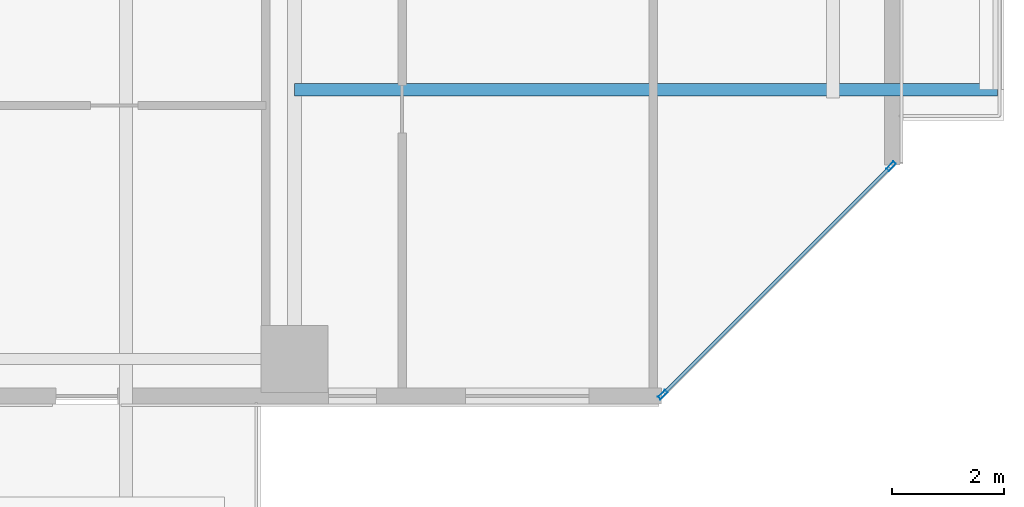
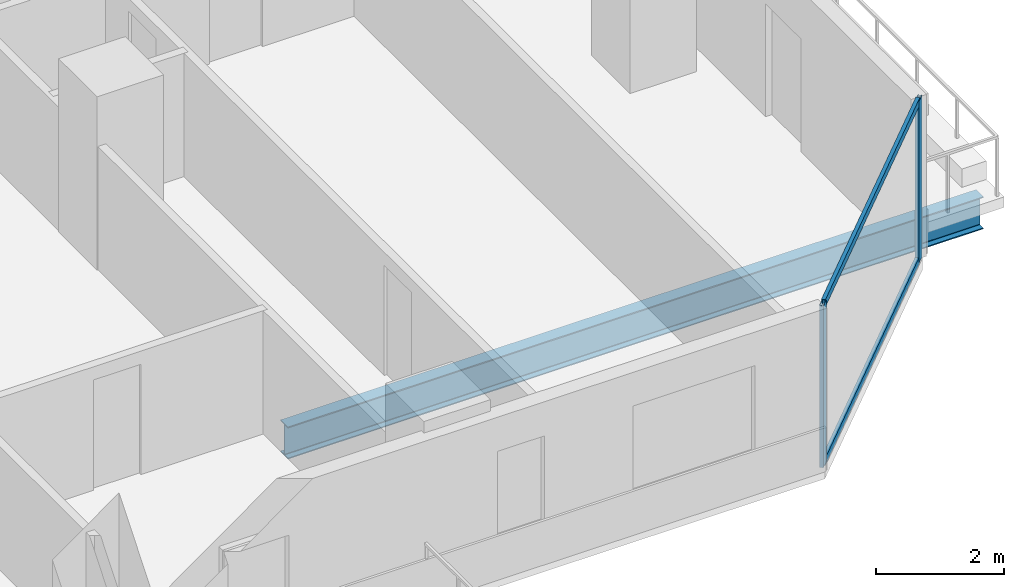
# One storey, part 13 of 33: 4 members, 1 beam, 1 element without a shape of its own.
"""IFC4 building model written with IfcOpenShell, lengths in metres."""

from ifc_helpers import new_model, si_unit, direction, frame, origin, origin_2d, place, context, subcontext, project, spatial, hollow_rectangle, i_section, extrude, material, layer, layer_set, material_profile, profile_set, type_object, element, aggregate, save


model = new_model("IFC4")

# Units and contexts
model_context = context("Model", 3, precision=1e-05, world=origin(), true_north=direction((0.0, 1.0)))
body_context = subcontext(model_context, "Body", "Model", "MODEL_VIEW")
ifc_project = project(units=[si_unit("LENGTHUNIT", "METRE"), si_unit("AREAUNIT", "SQUARE_METRE"), si_unit("VOLUMEUNIT", "CUBIC_METRE"), si_unit("PLANEANGLEUNIT", "RADIAN"), si_unit("MASSUNIT", "GRAM", prefix="KILO")], contexts=[model_context])

# Site, building, storey
site_placement = place(None, origin())
site = spatial("IfcSite", under=ifc_project, at=site_placement, CompositionType="ELEMENT")
building_placement = place(site_placement, origin())
building = spatial("IfcBuilding", under=site, at=building_placement, Name="Tanjung Sevakor Pilgrim Tower", CompositionType="ELEMENT")
storey_placement = place(building_placement, frame((0.0, 0.0, 32.340087890625)))
storey = spatial("IfcBuildingStorey", under=building, at=storey_placement, Name="L08", CompositionType="ELEMENT", Elevation=32.340087890625)

# Beam
ifc_material_1 = material(Name="Steel S355J2", Category="steel")
ifc_material_profile_1 = material_profile(ifc_material_1, i_section(OverallWidth=0.22900390625, OverallDepth=0.6123046875, WebThickness=0.011962890625, FlangeThickness=0.01953125, FilletRadius=0.0126953125, at=origin_2d()))
ifc_profile_set_1 = profile_set([ifc_material_profile_1], Name="Steel S355J2")
beam_type = type_object("IfcBeamType", Name="BM-B-G4-UB_610x229x125", PredefinedType="BEAM", material=ifc_profile_set_1)
beam_placement = place(storey_placement, frame((90.0, 13.199951171875, -0.526123046875), z_axis=(1.0, 0.0, 0.0), x_axis=(0.0, 1.0, 0.0)))
element("IfcBeam", 1, at=beam_placement, inside=storey, type_object=beam_type, Name="L08 Balcony Overhanging Beam MAIN-E1-1", PredefinedType="BEAM", context=body_context, shape_type="SweptSolid", body=[
    extrude(i_section(OverallWidth=0.22900390625, OverallDepth=0.6123046875, WebThickness=0.011962890625, FlangeThickness=0.01953125, FilletRadius=0.0126953125, at=origin_2d()), origin(), (0.0, 0.0, 1.0), 12.530029296875),
])

# Curtain wall, members
ifc_material_2 = material(Name="Aluminium 6063-T6 and Low-E Glass", Category="aluminium")
ifc_layer = layer(ifc_material_2, 0.179931640625)
ifc_layer_set = layer_set([ifc_layer], Name="CW-SYS-CHAM")
curtain_wall_type = type_object("IfcCurtainWallType", Name="CW-SYS-CHAM", PredefinedType="NOTDEFINED", material=ifc_layer_set)
curtain_wall_placement = place(storey_placement, origin())
curtain_wall = element("IfcCurtainWall", 2, at=curtain_wall_placement, inside=storey, type_object=curtain_wall_type, Name="L08 Curtain Wall CW-CHM-L08-MAIN-5", PredefinedType="NOTDEFINED")
ifc_material_3 = material(Name="Aluminium 6063-T6", Category="aluminium")
ifc_material_profile_2 = material_profile(ifc_material_3, hollow_rectangle(XDim=0.06494140625, YDim=0.179931640625, WallThickness=0.00390625, at=origin_2d()))
ifc_profile_set_2 = profile_set([ifc_material_profile_2], Name="Aluminium 6063-T6")
member_type_1 = type_object("IfcMemberType", Name="TYPE-CWM-1", PredefinedType="MULLION", material=ifc_profile_set_2)
member_1_placement = place(storey_placement, frame((96.56494140625, 7.762939453125, 0.0), z_axis=(0.0, 0.0, 1.0), x_axis=(-0.707106781187, 0.707106781187, 0.0)))
member_1 = element("IfcMember", 3, at=member_1_placement, type_object=member_type_1, Name="CW-CHM mullion 1", PredefinedType="MULLION", context=body_context, shape_type="SweptSolid", body=[
    extrude(hollow_rectangle(XDim=0.06494140625, YDim=0.179931640625, WallThickness=0.00390625, at=origin_2d()), origin(), (0.0, 0.0, 1.0), 3.079833984375),
])
member_2_placement = place(storey_placement, frame((100.636962890625, 11.8349609375, 0.0), z_axis=(0.0, 0.0, 1.0), x_axis=(-0.707106781187, 0.707106781187, 0.0)))
member_2 = element("IfcMember", 4, at=member_2_placement, type_object=member_type_1, Name="CW-CHM mullion 2", PredefinedType="MULLION", context=body_context, shape_type="SweptSolid", body=[
    extrude(hollow_rectangle(XDim=0.06494140625, YDim=0.179931640625, WallThickness=0.00390625, at=origin_2d()), origin(), (0.0, 0.0, 1.0), 3.079833984375),
])
ifc_material_4 = material(Name="Aluminium 6063-T6", Category="aluminium")
ifc_material_profile_3 = material_profile(ifc_material_4, hollow_rectangle(XDim=0.06494140625, YDim=0.139892578125, WallThickness=0.00390625, at=origin_2d()))
ifc_profile_set_3 = profile_set([ifc_material_profile_3], Name="Aluminium 6063-T6")
member_type_2 = type_object("IfcMemberType", Name="TYPE-CWT-1", PredefinedType="USERDEFINED", material=ifc_profile_set_3)
member_3_placement = place(storey_placement, frame((96.587890625, 7.785888671875, 0.032470703125), z_axis=(0.707106781187, 0.707106781187, 0.0), x_axis=(-0.707106781187, 0.707106781187, 0.0)))
member_3 = element("IfcMember", 5, at=member_3_placement, type_object=member_type_2, Name="CW-CHM transom 1.1", ObjectType="TRANSOM", PredefinedType="USERDEFINED", context=body_context, shape_type="SweptSolid", body=[
    extrude(hollow_rectangle(XDim=0.06494140625, YDim=0.139892578125, WallThickness=0.00390625, at=origin_2d()), origin(), (0.0, 0.0, 1.0), 5.69384765625),
])
member_4_placement = place(storey_placement, frame((96.587890625, 7.785888671875, 3.04736328125), z_axis=(0.707106781187, 0.707106781187, 0.0), x_axis=(-0.707106781187, 0.707106781187, 0.0)))
member_4 = element("IfcMember", 6, at=member_4_placement, type_object=member_type_2, Name="CW-CHM transom 1.2", ObjectType="TRANSOM", PredefinedType="USERDEFINED", context=body_context, shape_type="SweptSolid", body=[
    extrude(hollow_rectangle(XDim=0.06494140625, YDim=0.139892578125, WallThickness=0.00390625, at=origin_2d()), origin(), (0.0, 0.0, 1.0), 5.69384765625),
])
aggregate(curtain_wall, [member_1, member_2, member_3, member_4])

save(model, "model.ifc")
